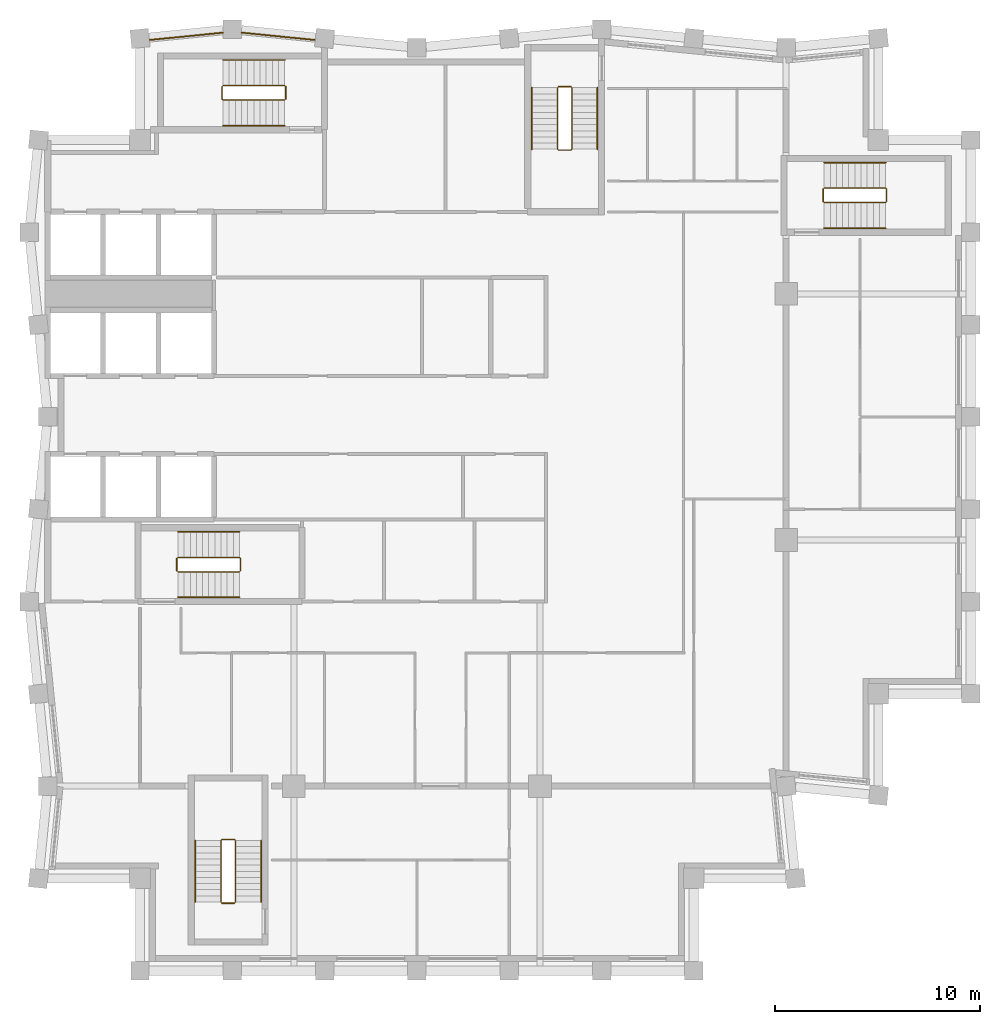
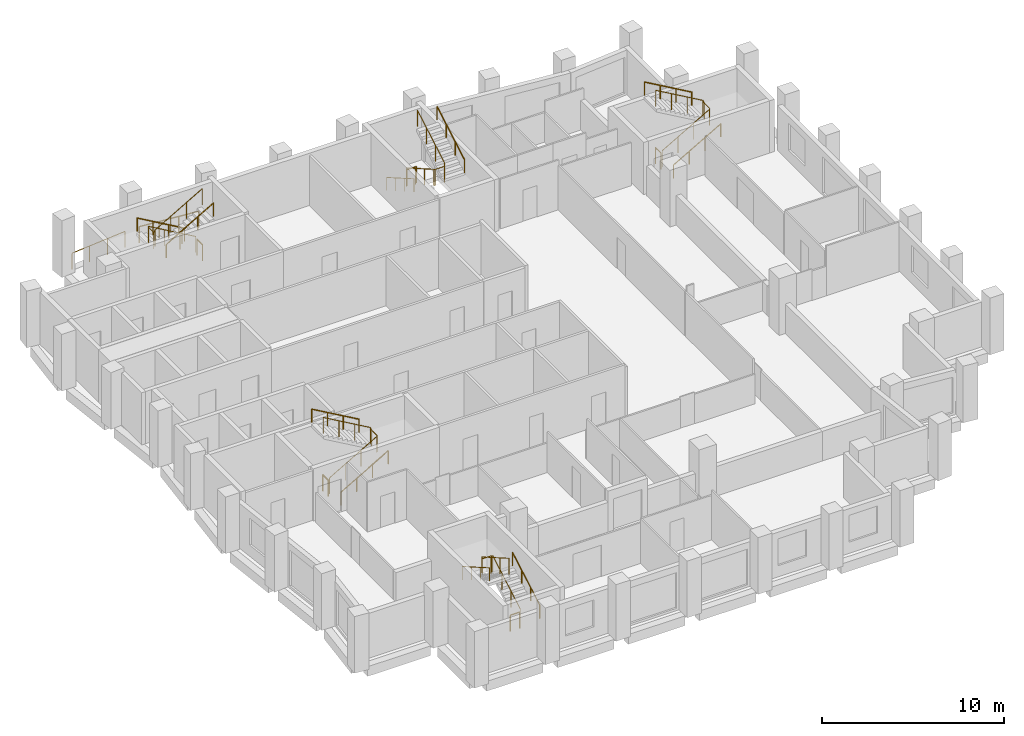
# One storey, part 7 of 7: 22 railings.
"""IFC4 building model written with IfcOpenShell, lengths in metres."""

import ifcopenshell
import ifcopenshell.guid

model = None  # the IFC model being written
_history = None  # IfcOwnerHistory: only IFC2X3 demands one
_inside = {}  # id of a spatial element -> (the spatial element, [elements in it])
_under = {}  # id of a project, library or spatial element -> (it, [spatial elements below it])
_declared = {}  # id of a project -> (the project, [libraries it declares])
_typed = {}  # id of a type object -> (the type object, [elements of that type])
_made_of = {}  # id of a material, layer set ... -> (it, [elements and type objects made of it])


def new_model(schema):
    """Start an empty IFC model of exactly this schema.

    Asked for "IFC4X3", IfcOpenShell would pick the latest addendum, in which some entities
    have other attributes; the version numbers below select the first issue.
    IFC2X3 requires an IfcOwnerHistory on every rooted entity: one is made here for all.
    """
    global model, _history
    if schema == "IFC4X3":
        model = ifcopenshell.file(schema_version=(4, 3, 0, 0))
    else:
        model = ifcopenshell.file(schema=schema)
    _inside.clear()
    _under.clear()
    _declared.clear()
    _typed.clear()
    _made_of.clear()
    _history = None
    if model.schema == "IFC2X3":
        org = make("IfcOrganization", Name="unknown")
        user = make(
            "IfcPersonAndOrganization",
            ThePerson=make("IfcPerson", FamilyName="unknown"),
            TheOrganization=org,
        )
        app = make(
            "IfcApplication",
            ApplicationDeveloper=org,
            Version="unknown",
            ApplicationFullName="unknown",
            ApplicationIdentifier="unknown",
        )
        _history = make(
            "IfcOwnerHistory",
            OwningUser=user,
            OwningApplication=app,
            ChangeAction="ADDED",
            CreationDate=0,
        )
    return model


def make(cls, **values):
    """One entity of the class cls with the attributes given. An attribute that is None is left unset."""
    return model.create_entity(
        cls, **{name: value for name, value in values.items() if value is not None}
    )


def rooted(cls, **values):
    """An entity with a GlobalId (a new one), such as an element, a storey or a relation."""
    return make(cls, GlobalId=ifcopenshell.guid.new(), OwnerHistory=_history, **values)


def si_unit(unit_type, name, prefix=None):
    """IfcSIUnit, for example si_unit("LENGTHUNIT", "METRE", prefix="MILLI")."""
    return make("IfcSIUnit", UnitType=unit_type, Prefix=prefix, Name=name)


def assignment(units):
    """IfcUnitAssignment: the units of a project."""
    return None if units is None else make("IfcUnitAssignment", Units=units)


def point(xyz):
    """IfcCartesianPoint."""
    return None if xyz is None else make("IfcCartesianPoint", Coordinates=xyz)


def direction(xyz):
    """IfcDirection."""
    return None if xyz is None else make("IfcDirection", DirectionRatios=xyz)


def frame(location, z_axis=None, x_axis=None):
    """IfcAxis2Placement3D, a coordinate frame: its origin and axes. An axis left out is left unset."""
    return make(
        "IfcAxis2Placement3D",
        Location=point(location),
        Axis=direction(z_axis),
        RefDirection=direction(x_axis),
    )


def frame_2d(location, x_axis=None):
    """IfcAxis2Placement2D, a coordinate frame in the plane: its origin and x axis."""
    return make(
        "IfcAxis2Placement2D", Location=point(location), RefDirection=direction(x_axis)
    )


def origin():
    """The frame at (0, 0, 0) with its axes left unset."""
    return frame((0.0, 0.0, 0.0))


def origin_2d():
    """The frame at (0, 0) in the plane with its x axis left unset."""
    return frame_2d((0.0, 0.0))


def place(relative_to, where):
    """IfcLocalPlacement: puts the frame where relative to a parent placement (None: the world)."""
    return make(
        "IfcLocalPlacement", PlacementRelTo=relative_to, RelativePlacement=where
    )


def context(
    kind, dimensions, precision=None, world=None, true_north=None, identifier=None
):
    """IfcGeometricRepresentationContext, for example the 3D "Model" context."""
    return make(
        "IfcGeometricRepresentationContext",
        ContextIdentifier=identifier,
        ContextType=kind,
        CoordinateSpaceDimension=dimensions,
        Precision=precision,
        WorldCoordinateSystem=world,
        TrueNorth=true_north,
    )


def subcontext(parent, identifier, kind, view, scale=None):
    """IfcGeometricRepresentationSubContext, for example "Body" below "Model"."""
    return make(
        "IfcGeometricRepresentationSubContext",
        ContextIdentifier=identifier,
        ContextType=kind,
        ParentContext=parent,
        TargetScale=scale,
        TargetView=view,
    )


def project(units=None, contexts=None):
    """IfcProject with its units and contexts."""
    return rooted(
        "IfcProject",
        Name="project",
        RepresentationContexts=contexts,
        UnitsInContext=assignment(units),
    )


def spatial(cls, under=None, at=None, **own):
    """A site, building, storey or space (cls), placed at a placement, below another one or the project."""
    s = rooted(cls, ObjectPlacement=at, **own)
    if under is not None:
        _under.setdefault(under.id(), (under, []))[1].append(s)
    return s


def profile(cls, at=None, kind="AREA", **sizes):
    """A parametric profile (cls). Its sizes go by their IFC names, for example OverallWidth=200.0."""
    return make(cls, ProfileType=kind, Position=at, **sizes)


def circle(**sizes):
    """IfcCircleProfileDef."""
    return profile("IfcCircleProfileDef", **sizes)


def extrude(swept, where, along, depth):
    """IfcExtrudedAreaSolid: the profile swept, set in the frame where, extruded along a direction by depth."""
    return make(
        "IfcExtrudedAreaSolid",
        SweptArea=swept,
        Position=where,
        ExtrudedDirection=direction(along),
        Depth=depth,
    )


def shape(context_of_items, identifier, shape_type, items):
    """IfcShapeRepresentation: the items that make up one representation, for example the "Body"."""
    return make(
        "IfcShapeRepresentation",
        ContextOfItems=context_of_items,
        RepresentationIdentifier=identifier,
        RepresentationType=shape_type,
        Items=items,
    )


def material(Name=None, Category=None):
    """IfcMaterial."""
    return make("IfcMaterial", Name=Name, Category=Category)


def made_of(thing, what):
    """Note that an element or type object is made of a material, layer set ...; save() writes the relation."""
    if what is not None:
        _made_of.setdefault(what.id(), (what, []))[1].append(thing)
    return thing


def type_object(cls, material=None, **own):
    """A type object (cls), such as IfcWallType, which elements share."""
    return made_of(rooted(cls, **own), material)


def element(
    cls,
    number,
    at=None,
    inside=None,
    cuts=None,
    type_object=None,
    material=None,
    context=None,
    identifier="Body",
    shape_type=None,
    held_by="IfcProductDefinitionShape",
    body=None,
    shapes=None,
    **own,
):
    """One element of the class cls, such as IfcWall. Its Tag is "e" and its number.

    at: its placement. inside: the storey or other place that contains it. cuts: it is an
    opening in that element (IfcRelVoidsElement). A single representation is given by context,
    identifier, shape_type and body (its items); several are given by shapes. held_by: the class
    of the entity that holds the representations. save() writes the other relations.
    """
    e = rooted(cls, Tag="e%d" % number, ObjectPlacement=at, **own)
    if body is not None:
        shapes = [shape(context, identifier, shape_type, body)]
    if shapes is not None:
        e.Representation = make(held_by, Representations=shapes)
    if inside is not None:
        _inside.setdefault(inside.id(), (inside, []))[1].append(e)
    if cuts is not None:
        rooted(
            "IfcRelVoidsElement", RelatingBuildingElement=cuts, RelatedOpeningElement=e
        )
    if type_object is not None:
        _typed.setdefault(type_object.id(), (type_object, []))[1].append(e)
    return made_of(e, material)


def aggregate(whole, parts):
    """IfcRelAggregates: a whole, such as a stair, and the parts it consists of."""
    return rooted("IfcRelAggregates", RelatingObject=whole, RelatedObjects=parts)


def save(model, path):
    """Write the relations noted so far, then the file.

    IfcRelAggregates (storeys below a building ...), IfcRelContainedInSpatialStructure (elements
    in a storey), IfcRelDefinesByType, IfcRelAssociatesMaterial and IfcRelDeclares: one each for
    every whole, place, type object, material and project.
    """
    for whole, parts in _under.values():
        aggregate(whole, parts)
    for where, things in _inside.values():
        rooted(
            "IfcRelContainedInSpatialStructure",
            RelatedElements=things,
            RelatingStructure=where,
        )
    for kind, things in _typed.values():
        rooted("IfcRelDefinesByType", RelatedObjects=things, RelatingType=kind)
    for what, things in _made_of.values():
        rooted("IfcRelAssociatesMaterial", RelatedObjects=things, RelatingMaterial=what)
    for by, libraries in _declared.values():
        rooted("IfcRelDeclares", RelatingContext=by, RelatedDefinitions=libraries)
    model.write(path)


model = new_model("IFC4")

# Units and contexts
model_context = context("Model", 3, precision=1e-05, world=origin(), true_north=direction((0.0, 1.0)))
body_context = subcontext(model_context, "Body", "Model", "MODEL_VIEW")
ifc_project = project(units=[si_unit("LENGTHUNIT", "METRE"), si_unit("AREAUNIT", "SQUARE_METRE"), si_unit("VOLUMEUNIT", "CUBIC_METRE"), si_unit("PLANEANGLEUNIT", "RADIAN"), si_unit("MASSUNIT", "GRAM", prefix="KILO")], contexts=[model_context])

# Site, building, storey
site_placement = place(None, origin())
site = spatial("IfcSite", under=ifc_project, at=site_placement, CompositionType="ELEMENT")
building_placement = place(site_placement, origin())
building = spatial("IfcBuilding", under=site, at=building_placement, Name="Brondeck Convention Tower", CompositionType="ELEMENT")
storey_placement = place(building_placement, frame((0.0, 0.0, 275.199951171875)))
storey = spatial("IfcBuildingStorey", under=building, at=storey_placement, Name="L68", CompositionType="ELEMENT", Elevation=275.199951171875)

# Railings
ifc_material_1 = material(Name="Steel S355, bronze painted", Category="steel")
railing_type_1 = type_object("IfcRailingType", Name="Guard, bronze steel rail and posts", PredefinedType="GUARDRAIL", material=ifc_material_1)
railing_1_placement = place(storey_placement, frame((4.9794921875, 63.37744140625, 0.0)))
element("IfcRailing", 1, at=railing_1_placement, inside=storey, type_object=railing_type_1, Name="ENV-RL-L68-REAR1", PredefinedType="GUARDRAIL", context=body_context, shape_type="SweptSolid", body=[
    extrude(circle(Radius=0.02490234375, at=origin_2d()), frame((0.0, 0.0, 1.0751953125), z_axis=(0.995037864926, 0.099496971632, 0.0), x_axis=(-0.099496971632, 0.995037864926, 0.0)), (0.0, 0.0, 1.0), 3.58251953125),
    extrude(circle(Radius=0.02490234375, at=origin_2d()), origin(), (0.0, 0.0, 1.0), 1.050048828125),
    extrude(circle(Radius=0.02490234375, at=origin_2d()), frame((1.188232421875, 0.118896484375, 0.0)), (0.0, 0.0, 1.0), 1.050048828125),
    extrude(circle(Radius=0.02490234375, at=origin_2d()), frame((2.37646484375, 0.237548828125, 0.0)), (0.0, 0.0, 1.0), 1.050048828125),
    extrude(circle(Radius=0.02490234375, at=origin_2d()), frame((3.564697265625, 0.3564453125, 0.0)), (0.0, 0.0, 1.0), 1.050048828125),
])
railing_2_placement = place(storey_placement, frame((9.455810546875, 63.73388671875, 0.0)))
element("IfcRailing", 2, at=railing_2_placement, inside=storey, type_object=railing_type_1, Name="ENV-RL-L68-REAR2", PredefinedType="GUARDRAIL", context=body_context, shape_type="SweptSolid", body=[
    extrude(circle(Radius=0.02490234375, at=origin_2d()), frame((0.0, 0.0, 1.0751953125), z_axis=(0.995037864926, -0.099496971632, 0.0), x_axis=(0.099496971632, 0.995037864926, 0.0)), (0.0, 0.0, 1.0), 3.58251953125),
    extrude(circle(Radius=0.02490234375, at=origin_2d()), origin(), (0.0, 0.0, 1.0), 1.050048828125),
    extrude(circle(Radius=0.02490234375, at=origin_2d()), frame((1.188232421875, -0.118896484375, 0.0)), (0.0, 0.0, 1.0), 1.050048828125),
    extrude(circle(Radius=0.02490234375, at=origin_2d()), frame((2.37646484375, -0.237548828125, 0.0)), (0.0, 0.0, 1.0), 1.050048828125),
    extrude(circle(Radius=0.02490234375, at=origin_2d()), frame((3.564697265625, -0.3564453125, 0.0)), (0.0, 0.0, 1.0), 1.050048828125),
])
ifc_material_2 = material(Name="Steel S355", Category="steel")
railing_type_2 = type_object("IfcRailingType", Name="Stair guard 1100", PredefinedType="GUARDRAIL", material=ifc_material_2)
railing_3_placement = place(storey_placement, frame((6.35009765625, 37.449951171875, 0.1728515625)))
element("IfcRailing", 3, at=railing_3_placement, inside=storey, type_object=railing_type_2, Name="L68 ST-1 stair guard 1", PredefinedType="GUARDRAIL", context=body_context, shape_type="SweptSolid", body=[
    extrude(circle(Radius=0.02392578125, at=origin_2d()), frame((0.0, 0.0, 1.076171875), z_axis=(0.866619684472, 0.0, 0.498969260062), x_axis=(0.0, 1.0, 0.0)), (0.0, 0.0, 1.0), 3.461669921875),
    extrude(circle(Radius=0.02392578125, at=origin_2d()), frame((3.0, 0.0, 2.80322265625), z_axis=(0.705375805398, 0.708833529934, 0.0), x_axis=(-0.708833529934, 0.705375805398, 0.0)), (0.0, 0.0, 1.0), 0.070556640625),
    extrude(circle(Radius=0.02392578125, at=origin_2d()), frame((3.0498046875, 0.050048828125, 2.80322265625), z_axis=(0.0, 1.0, 0.0), x_axis=(-1.0, 0.0, 0.0)), (0.0, 0.0, 1.0), 0.60009765625),
    extrude(circle(Radius=0.02392578125, at=origin_2d()), frame((3.0498046875, 0.650146484375, 2.80322265625), z_axis=(-0.26715648603, 0.26715648603, 0.925880566782), x_axis=(-0.707106781187, -0.707106781187, 0.0)), (0.0, 0.0, 1.0), 0.1865234375),
    extrude(circle(Radius=0.02392578125, at=origin_2d()), frame((3.0, 0.699951171875, 2.97607421875), z_axis=(-0.866619684472, 0.0, 0.498969260062), x_axis=(0.0, -1.0, 0.0)), (0.0, 0.0, 1.0), 3.461669921875),
    extrude(circle(Radius=0.02099609375, at=origin_2d()), origin(), (0.0, 0.0, 1.0), 1.052001953125),
    extrude(circle(Radius=0.02099609375, at=origin_2d()), frame((1.0, 0.0, 0.57568359375)), (0.0, 0.0, 1.0), 1.052001953125),
    extrude(circle(Radius=0.02099609375, at=origin_2d()), frame((2.0, 0.0, 1.151611328125)), (0.0, 0.0, 1.0), 1.052001953125),
    extrude(circle(Radius=0.02099609375, at=origin_2d()), frame((3.0, 0.0, 1.727294921875)), (0.0, 0.0, 1.0), 1.052001953125),
    extrude(circle(Radius=0.02099609375, at=origin_2d()), frame((3.0498046875, 0.050048828125, 1.727294921875)), (0.0, 0.0, 1.0), 1.052001953125),
    extrude(circle(Radius=0.02099609375, at=origin_2d()), frame((3.0498046875, 0.650146484375, 1.727294921875)), (0.0, 0.0, 1.0), 1.052001953125),
    extrude(circle(Radius=0.02099609375, at=origin_2d()), frame((3.0, 0.699951171875, 1.89990234375)), (0.0, 0.0, 1.0), 1.052001953125),
    extrude(circle(Radius=0.02099609375, at=origin_2d()), frame((2.0, 0.699951171875, 2.4755859375)), (0.0, 0.0, 1.0), 1.052001953125),
    extrude(circle(Radius=0.02099609375, at=origin_2d()), frame((1.0, 0.699951171875, 3.051513671875)), (0.0, 0.0, 1.0), 1.052001953125),
    extrude(circle(Radius=0.02099609375, at=origin_2d()), frame((0.0, 0.699951171875, 3.627197265625)), (0.0, 0.0, 1.0), 1.052001953125),
])
railing_4_placement = place(storey_placement, frame((6.300048828125, 37.5, 0.0)))
element("IfcRailing", 4, at=railing_4_placement, inside=storey, type_object=railing_type_2, Name="L68 ST-1 stair guard 2", PredefinedType="GUARDRAIL", context=body_context, shape_type="SweptSolid", body=[
    extrude(circle(Radius=0.02392578125, at=origin_2d()), frame((0.0, 0.0, 1.076171875), z_axis=(0.0, 1.0, 0.0), x_axis=(-1.0, 0.0, 0.0)), (0.0, 0.0, 1.0), 0.60009765625),
    extrude(circle(Radius=0.02099609375, at=origin_2d()), origin(), (0.0, 0.0, 1.0), 1.052001953125),
    extrude(circle(Radius=0.02099609375, at=origin_2d()), frame((0.0, 0.60009765625, 0.0)), (0.0, 0.0, 1.0), 1.052001953125),
])
railing_5_placement = place(storey_placement, frame((24.85009765625, 61.050048828125, 0.1728515625)))
element("IfcRailing", 5, at=railing_5_placement, inside=storey, type_object=railing_type_2, Name="L68 ST-2 stair guard 1", PredefinedType="GUARDRAIL", context=body_context, shape_type="SweptSolid", body=[
    extrude(circle(Radius=0.02392578125, at=origin_2d()), frame((0.0, 0.0, 1.076171875), z_axis=(0.0, -0.866619684472, 0.498969260062), x_axis=(1.0, 0.0, 0.0)), (0.0, 0.0, 1.0), 3.461669921875),
    extrude(circle(Radius=0.02392578125, at=origin_2d()), frame((0.0, -3.0, 2.80322265625), z_axis=(0.705375805398, -0.708833529934, 0.0), x_axis=(0.708833529934, 0.705375805398, 0.0)), (0.0, 0.0, 1.0), 0.070556640625),
    extrude(circle(Radius=0.02392578125, at=origin_2d()), frame((0.0498046875, -3.050048828125, 2.80322265625), z_axis=(1.0, 0.0, 0.0), x_axis=(0.0, 1.0, 0.0)), (0.0, 0.0, 1.0), 0.60009765625),
    extrude(circle(Radius=0.02392578125, at=origin_2d()), frame((0.64990234375, -3.050048828125, 2.80322265625), z_axis=(0.268277960024, 0.268277960024, 0.925231793839), x_axis=(-0.707106781187, 0.707106781187, 0.0)), (0.0, 0.0, 1.0), 0.1865234375),
    extrude(circle(Radius=0.02392578125, at=origin_2d()), frame((0.699951171875, -3.0, 2.97607421875), z_axis=(0.0, 0.866619684472, 0.498969260062), x_axis=(-1.0, 0.0, 0.0)), (0.0, 0.0, 1.0), 3.461669921875),
    extrude(circle(Radius=0.02099609375, at=origin_2d()), origin(), (0.0, 0.0, 1.0), 1.052001953125),
    extrude(circle(Radius=0.02099609375, at=origin_2d()), frame((0.0, -1.0, 0.57568359375)), (0.0, 0.0, 1.0), 1.052001953125),
    extrude(circle(Radius=0.02099609375, at=origin_2d()), frame((0.0, -2.0, 1.151611328125)), (0.0, 0.0, 1.0), 1.052001953125),
    extrude(circle(Radius=0.02099609375, at=origin_2d()), frame((0.0, -3.0, 1.727294921875)), (0.0, 0.0, 1.0), 1.052001953125),
    extrude(circle(Radius=0.02099609375, at=origin_2d()), frame((0.0498046875, -3.050048828125, 1.727294921875)), (0.0, 0.0, 1.0), 1.052001953125),
    extrude(circle(Radius=0.02099609375, at=origin_2d()), frame((0.64990234375, -3.050048828125, 1.727294921875)), (0.0, 0.0, 1.0), 1.052001953125),
    extrude(circle(Radius=0.02099609375, at=origin_2d()), frame((0.699951171875, -3.0, 1.89990234375)), (0.0, 0.0, 1.0), 1.052001953125),
    extrude(circle(Radius=0.02099609375, at=origin_2d()), frame((0.699951171875, -2.0, 2.4755859375)), (0.0, 0.0, 1.0), 1.052001953125),
    extrude(circle(Radius=0.02099609375, at=origin_2d()), frame((0.699951171875, -1.0, 3.051513671875)), (0.0, 0.0, 1.0), 1.052001953125),
    extrude(circle(Radius=0.02099609375, at=origin_2d()), frame((0.699951171875, 0.0, 3.627197265625)), (0.0, 0.0, 1.0), 1.052001953125),
])
railing_6_placement = place(storey_placement, frame((24.89990234375, 61.10009765625, 0.0)))
element("IfcRailing", 6, at=railing_6_placement, inside=storey, type_object=railing_type_2, Name="L68 ST-2 stair guard 2", PredefinedType="GUARDRAIL", context=body_context, shape_type="SweptSolid", body=[
    extrude(circle(Radius=0.02392578125, at=origin_2d()), frame((0.0, 0.0, 1.076171875), z_axis=(1.0, 0.0, 0.0), x_axis=(0.0, 1.0, 0.0)), (0.0, 0.0, 1.0), 0.60009765625),
    extrude(circle(Radius=0.02099609375, at=origin_2d()), origin(), (0.0, 0.0, 1.0), 1.052001953125),
    extrude(circle(Radius=0.02099609375, at=origin_2d()), frame((0.60009765625, 0.0, 0.0)), (0.0, 0.0, 1.0), 1.052001953125),
])
railing_7_placement = place(storey_placement, frame((11.550048828125, 61.14990234375, 0.1728515625)))
element("IfcRailing", 7, at=railing_7_placement, inside=storey, type_object=railing_type_2, Name="L68 ST-3 stair guard 1", PredefinedType="GUARDRAIL", context=body_context, shape_type="SweptSolid", body=[
    extrude(circle(Radius=0.02392578125, at=origin_2d()), frame((0.0, 0.0, 1.076171875), z_axis=(-0.866619684472, 0.0, 0.498969260062), x_axis=(0.0, -1.0, 0.0)), (0.0, 0.0, 1.0), 3.461669921875),
    extrude(circle(Radius=0.02392578125, at=origin_2d()), frame((-3.0, 0.0, 2.80322265625), z_axis=(-0.708833529934, -0.705375805398, 0.0), x_axis=(0.705375805398, -0.708833529934, 0.0)), (0.0, 0.0, 1.0), 0.070556640625),
    extrude(circle(Radius=0.02392578125, at=origin_2d()), frame((-3.050048828125, -0.0498046875, 2.80322265625), z_axis=(0.0, -1.0, 0.0), x_axis=(1.0, 0.0, 0.0)), (0.0, 0.0, 1.0), 0.60009765625),
    extrude(circle(Radius=0.02392578125, at=origin_2d()), frame((-3.050048828125, -0.64990234375, 2.80322265625), z_axis=(0.268277960024, -0.268277960024, 0.925231793839), x_axis=(0.707106781187, 0.707106781187, 0.0)), (0.0, 0.0, 1.0), 0.1865234375),
    extrude(circle(Radius=0.02392578125, at=origin_2d()), frame((-3.0, -0.699951171875, 2.97607421875), z_axis=(0.866619684472, 0.0, 0.498969260062), x_axis=(0.0, 1.0, 0.0)), (0.0, 0.0, 1.0), 3.461669921875),
    extrude(circle(Radius=0.02099609375, at=origin_2d()), origin(), (0.0, 0.0, 1.0), 1.052001953125),
    extrude(circle(Radius=0.02099609375, at=origin_2d()), frame((-1.0, 0.0, 0.57568359375)), (0.0, 0.0, 1.0), 1.052001953125),
    extrude(circle(Radius=0.02099609375, at=origin_2d()), frame((-2.0, 0.0, 1.151611328125)), (0.0, 0.0, 1.0), 1.052001953125),
    extrude(circle(Radius=0.02099609375, at=origin_2d()), frame((-3.0, 0.0, 1.727294921875)), (0.0, 0.0, 1.0), 1.052001953125),
    extrude(circle(Radius=0.02099609375, at=origin_2d()), frame((-3.050048828125, -0.0498046875, 1.727294921875)), (0.0, 0.0, 1.0), 1.052001953125),
    extrude(circle(Radius=0.02099609375, at=origin_2d()), frame((-3.050048828125, -0.64990234375, 1.727294921875)), (0.0, 0.0, 1.0), 1.052001953125),
    extrude(circle(Radius=0.02099609375, at=origin_2d()), frame((-3.0, -0.699951171875, 1.89990234375)), (0.0, 0.0, 1.0), 1.052001953125),
    extrude(circle(Radius=0.02099609375, at=origin_2d()), frame((-2.0, -0.699951171875, 2.4755859375)), (0.0, 0.0, 1.0), 1.052001953125),
    extrude(circle(Radius=0.02099609375, at=origin_2d()), frame((-1.0, -0.699951171875, 3.051513671875)), (0.0, 0.0, 1.0), 1.052001953125),
    extrude(circle(Radius=0.02099609375, at=origin_2d()), frame((0.0, -0.699951171875, 3.627197265625)), (0.0, 0.0, 1.0), 1.052001953125),
])
railing_8_placement = place(storey_placement, frame((11.60009765625, 61.10009765625, 0.0)))
element("IfcRailing", 8, at=railing_8_placement, inside=storey, type_object=railing_type_2, Name="L68 ST-3 stair guard 2", PredefinedType="GUARDRAIL", context=body_context, shape_type="SweptSolid", body=[
    extrude(circle(Radius=0.02392578125, at=origin_2d()), frame((0.0, 0.0, 1.076171875), z_axis=(0.0, -1.0, 0.0), x_axis=(1.0, 0.0, 0.0)), (0.0, 0.0, 1.0), 0.60009765625),
    extrude(circle(Radius=0.02099609375, at=origin_2d()), origin(), (0.0, 0.0, 1.0), 1.052001953125),
    extrude(circle(Radius=0.02099609375, at=origin_2d()), frame((0.0, -0.60009765625, 0.0)), (0.0, 0.0, 1.0), 1.052001953125),
])
railing_9_placement = place(storey_placement, frame((37.85009765625, 55.449951171875, 0.1728515625)))
element("IfcRailing", 9, at=railing_9_placement, inside=storey, type_object=railing_type_2, Name="L68 ST-AE stair guard 1", PredefinedType="GUARDRAIL", context=body_context, shape_type="SweptSolid", body=[
    extrude(circle(Radius=0.02392578125, at=origin_2d()), frame((0.0, 0.0, 1.076171875), z_axis=(0.866619684472, 0.0, 0.498969260062), x_axis=(0.0, 1.0, 0.0)), (0.0, 0.0, 1.0), 3.461669921875),
    extrude(circle(Radius=0.02392578125, at=origin_2d()), frame((3.0, 0.0, 2.80322265625), z_axis=(0.705375805398, 0.708833529934, 0.0), x_axis=(-0.708833529934, 0.705375805398, 0.0)), (0.0, 0.0, 1.0), 0.070556640625),
    extrude(circle(Radius=0.02392578125, at=origin_2d()), frame((3.0498046875, 0.050048828125, 2.80322265625), z_axis=(0.0, 1.0, 0.0), x_axis=(-1.0, 0.0, 0.0)), (0.0, 0.0, 1.0), 0.60009765625),
    extrude(circle(Radius=0.02392578125, at=origin_2d()), frame((3.0498046875, 0.650146484375, 2.80322265625), z_axis=(-0.26715648603, 0.26715648603, 0.925880566782), x_axis=(-0.707106781187, -0.707106781187, 0.0)), (0.0, 0.0, 1.0), 0.1865234375),
    extrude(circle(Radius=0.02392578125, at=origin_2d()), frame((3.0, 0.699951171875, 2.97607421875), z_axis=(-0.866619684472, 0.0, 0.498969260062), x_axis=(0.0, -1.0, 0.0)), (0.0, 0.0, 1.0), 3.461669921875),
    extrude(circle(Radius=0.02099609375, at=origin_2d()), origin(), (0.0, 0.0, 1.0), 1.052001953125),
    extrude(circle(Radius=0.02099609375, at=origin_2d()), frame((1.0, 0.0, 0.57568359375)), (0.0, 0.0, 1.0), 1.052001953125),
    extrude(circle(Radius=0.02099609375, at=origin_2d()), frame((2.0, 0.0, 1.151611328125)), (0.0, 0.0, 1.0), 1.052001953125),
    extrude(circle(Radius=0.02099609375, at=origin_2d()), frame((3.0, 0.0, 1.727294921875)), (0.0, 0.0, 1.0), 1.052001953125),
    extrude(circle(Radius=0.02099609375, at=origin_2d()), frame((3.0498046875, 0.050048828125, 1.727294921875)), (0.0, 0.0, 1.0), 1.052001953125),
    extrude(circle(Radius=0.02099609375, at=origin_2d()), frame((3.0498046875, 0.650146484375, 1.727294921875)), (0.0, 0.0, 1.0), 1.052001953125),
    extrude(circle(Radius=0.02099609375, at=origin_2d()), frame((3.0, 0.699951171875, 1.89990234375)), (0.0, 0.0, 1.0), 1.052001953125),
    extrude(circle(Radius=0.02099609375, at=origin_2d()), frame((2.0, 0.699951171875, 2.4755859375)), (0.0, 0.0, 1.0), 1.052001953125),
    extrude(circle(Radius=0.02099609375, at=origin_2d()), frame((1.0, 0.699951171875, 3.051513671875)), (0.0, 0.0, 1.0), 1.052001953125),
    extrude(circle(Radius=0.02099609375, at=origin_2d()), frame((0.0, 0.699951171875, 3.627197265625)), (0.0, 0.0, 1.0), 1.052001953125),
])
railing_10_placement = place(storey_placement, frame((37.800048828125, 55.5, 0.0)))
element("IfcRailing", 10, at=railing_10_placement, inside=storey, type_object=railing_type_2, Name="L68 ST-AE stair guard 2", PredefinedType="GUARDRAIL", context=body_context, shape_type="SweptSolid", body=[
    extrude(circle(Radius=0.02392578125, at=origin_2d()), frame((0.0, 0.0, 1.076171875), z_axis=(0.0, 1.0, 0.0), x_axis=(-1.0, 0.0, 0.0)), (0.0, 0.0, 1.0), 0.60009765625),
    extrude(circle(Radius=0.02099609375, at=origin_2d()), origin(), (0.0, 0.0, 1.0), 1.052001953125),
    extrude(circle(Radius=0.02099609375, at=origin_2d()), frame((0.0, 0.60009765625, 0.0)), (0.0, 0.0, 1.0), 1.052001953125),
])
railing_11_placement = place(storey_placement, frame((9.14990234375, 21.35009765625, 0.1728515625)))
element("IfcRailing", 11, at=railing_11_placement, inside=storey, type_object=railing_type_2, Name="L68 ST-BE stair guard 1", PredefinedType="GUARDRAIL", context=body_context, shape_type="SweptSolid", body=[
    extrude(circle(Radius=0.02392578125, at=origin_2d()), frame((0.0, 0.0, 1.076171875), z_axis=(0.0, 0.866619684472, 0.498969260062), x_axis=(-1.0, 0.0, 0.0)), (0.0, 0.0, 1.0), 3.461669921875),
    extrude(circle(Radius=0.02392578125, at=origin_2d()), frame((0.0, 3.0, 2.80322265625), z_axis=(-0.707106781187, 0.707106781187, 0.0), x_axis=(-0.707106781187, -0.707106781187, 0.0)), (0.0, 0.0, 1.0), 0.0703125),
    extrude(circle(Radius=0.02392578125, at=origin_2d()), frame((-0.0498046875, 3.0498046875, 2.80322265625), z_axis=(-1.0, 0.0, 0.0), x_axis=(0.0, -1.0, 0.0)), (0.0, 0.0, 1.0), 0.60009765625),
    extrude(circle(Radius=0.02392578125, at=origin_2d()), frame((-0.64990234375, 3.0498046875, 2.80322265625), z_axis=(-0.268371968888, -0.267062837333, 0.925556009775), x_axis=(0.705375805398, -0.708833529934, 0.0)), (0.0, 0.0, 1.0), 0.1865234375),
    extrude(circle(Radius=0.02392578125, at=origin_2d()), frame((-0.699951171875, 3.0, 2.97607421875), z_axis=(0.0, -0.866619684472, 0.498969260062), x_axis=(1.0, 0.0, 0.0)), (0.0, 0.0, 1.0), 3.461669921875),
    extrude(circle(Radius=0.02099609375, at=origin_2d()), origin(), (0.0, 0.0, 1.0), 1.052001953125),
    extrude(circle(Radius=0.02099609375, at=origin_2d()), frame((0.0, 1.0, 0.57568359375)), (0.0, 0.0, 1.0), 1.052001953125),
    extrude(circle(Radius=0.02099609375, at=origin_2d()), frame((0.0, 2.0, 1.151611328125)), (0.0, 0.0, 1.0), 1.052001953125),
    extrude(circle(Radius=0.02099609375, at=origin_2d()), frame((0.0, 3.0, 1.727294921875)), (0.0, 0.0, 1.0), 1.052001953125),
    extrude(circle(Radius=0.02099609375, at=origin_2d()), frame((-0.0498046875, 3.0498046875, 1.727294921875)), (0.0, 0.0, 1.0), 1.052001953125),
    extrude(circle(Radius=0.02099609375, at=origin_2d()), frame((-0.64990234375, 3.0498046875, 1.727294921875)), (0.0, 0.0, 1.0), 1.052001953125),
    extrude(circle(Radius=0.02099609375, at=origin_2d()), frame((-0.699951171875, 3.0, 1.89990234375)), (0.0, 0.0, 1.0), 1.052001953125),
    extrude(circle(Radius=0.02099609375, at=origin_2d()), frame((-0.699951171875, 2.0, 2.4755859375)), (0.0, 0.0, 1.0), 1.052001953125),
    extrude(circle(Radius=0.02099609375, at=origin_2d()), frame((-0.699951171875, 1.0, 3.051513671875)), (0.0, 0.0, 1.0), 1.052001953125),
    extrude(circle(Radius=0.02099609375, at=origin_2d()), frame((-0.699951171875, 0.0, 3.627197265625)), (0.0, 0.0, 1.0), 1.052001953125),
])
railing_12_placement = place(storey_placement, frame((9.10009765625, 21.300048828125, 0.0)))
element("IfcRailing", 12, at=railing_12_placement, inside=storey, type_object=railing_type_2, Name="L68 ST-BE stair guard 2", PredefinedType="GUARDRAIL", context=body_context, shape_type="SweptSolid", body=[
    extrude(circle(Radius=0.02392578125, at=origin_2d()), frame((0.0, 0.0, 1.076171875), z_axis=(-1.0, 0.0, 0.0), x_axis=(0.0, -1.0, 0.0)), (0.0, 0.0, 1.0), 0.60009765625),
    extrude(circle(Radius=0.02099609375, at=origin_2d()), origin(), (0.0, 0.0, 1.0), 1.052001953125),
    extrude(circle(Radius=0.02099609375, at=origin_2d()), frame((-0.60009765625, 0.0, 0.0)), (0.0, 0.0, 1.0), 1.052001953125),
])
railing_type_3 = type_object("IfcRailingType", Name="Stair handrail", PredefinedType="HANDRAIL", material=ifc_material_2)
railing_13_placement = place(storey_placement, frame((6.35009765625, 36.199951171875, 0.1728515625)))
element("IfcRailing", 13, at=railing_13_placement, inside=storey, type_object=railing_type_3, Name="L68 ST-1 stair handrail 1", PredefinedType="HANDRAIL", context=body_context, shape_type="SweptSolid", body=[
    extrude(circle(Radius=0.02392578125, at=origin_2d()), frame((0.0, 0.0, 0.8759765625), z_axis=(0.866619684472, 0.0, 0.498969260062), x_axis=(0.0, 1.0, 0.0)), (0.0, 0.0, 1.0), 3.461669921875),
    extrude(circle(Radius=0.02099609375, at=origin_2d()), origin(), (0.0, 0.0, 1.0), 0.851806640625),
    extrude(circle(Radius=0.02099609375, at=origin_2d()), frame((1.0, 0.0, 0.57568359375)), (0.0, 0.0, 1.0), 0.851806640625),
    extrude(circle(Radius=0.02099609375, at=origin_2d()), frame((2.0, 0.0, 1.151611328125)), (0.0, 0.0, 1.0), 0.851806640625),
    extrude(circle(Radius=0.02099609375, at=origin_2d()), frame((3.0, 0.0, 1.727294921875)), (0.0, 0.0, 1.0), 0.851806640625),
])
railing_14_placement = place(storey_placement, frame((9.35009765625, 39.39990234375, 2.07275390625)))
element("IfcRailing", 14, at=railing_14_placement, inside=storey, type_object=railing_type_3, Name="L68 ST-1 stair handrail 2", PredefinedType="HANDRAIL", context=body_context, shape_type="SweptSolid", body=[
    extrude(circle(Radius=0.02392578125, at=origin_2d()), frame((0.0, 0.0, 0.8759765625), z_axis=(-0.866619684472, 0.0, 0.498969260062), x_axis=(0.0, -1.0, 0.0)), (0.0, 0.0, 1.0), 3.461669921875),
    extrude(circle(Radius=0.02099609375, at=origin_2d()), origin(), (0.0, 0.0, 1.0), 0.851806640625),
    extrude(circle(Radius=0.02099609375, at=origin_2d()), frame((-1.0, 0.0, 0.57568359375)), (0.0, 0.0, 1.0), 0.851806640625),
    extrude(circle(Radius=0.02099609375, at=origin_2d()), frame((-2.0, 0.0, 1.151611328125)), (0.0, 0.0, 1.0), 0.851806640625),
    extrude(circle(Radius=0.02099609375, at=origin_2d()), frame((-3.0, 0.0, 1.727294921875)), (0.0, 0.0, 1.0), 0.851806640625),
])
railing_15_placement = place(storey_placement, frame((23.60009765625, 61.050048828125, 0.1728515625)))
element("IfcRailing", 15, at=railing_15_placement, inside=storey, type_object=railing_type_3, Name="L68 ST-2 stair handrail 1", PredefinedType="HANDRAIL", context=body_context, shape_type="SweptSolid", body=[
    extrude(circle(Radius=0.02392578125, at=origin_2d()), frame((0.0, 0.0, 0.8759765625), z_axis=(0.0, -0.866619684472, 0.498969260062), x_axis=(1.0, 0.0, 0.0)), (0.0, 0.0, 1.0), 3.461669921875),
    extrude(circle(Radius=0.02099609375, at=origin_2d()), origin(), (0.0, 0.0, 1.0), 0.851806640625),
    extrude(circle(Radius=0.02099609375, at=origin_2d()), frame((0.0, -1.0, 0.57568359375)), (0.0, 0.0, 1.0), 0.851806640625),
    extrude(circle(Radius=0.02099609375, at=origin_2d()), frame((0.0, -2.0, 1.151611328125)), (0.0, 0.0, 1.0), 0.851806640625),
    extrude(circle(Radius=0.02099609375, at=origin_2d()), frame((0.0, -3.0, 1.727294921875)), (0.0, 0.0, 1.0), 0.851806640625),
])
railing_16_placement = place(storey_placement, frame((26.800048828125, 58.050048828125, 2.07275390625)))
element("IfcRailing", 16, at=railing_16_placement, inside=storey, type_object=railing_type_3, Name="L68 ST-2 stair handrail 2", PredefinedType="HANDRAIL", context=body_context, shape_type="SweptSolid", body=[
    extrude(circle(Radius=0.02392578125, at=origin_2d()), frame((0.0, 0.0, 0.8759765625), z_axis=(0.0, 0.866619684472, 0.498969260062), x_axis=(-1.0, 0.0, 0.0)), (0.0, 0.0, 1.0), 3.461669921875),
    extrude(circle(Radius=0.02099609375, at=origin_2d()), origin(), (0.0, 0.0, 1.0), 0.851806640625),
    extrude(circle(Radius=0.02099609375, at=origin_2d()), frame((0.0, 1.0, 0.57568359375)), (0.0, 0.0, 1.0), 0.851806640625),
    extrude(circle(Radius=0.02099609375, at=origin_2d()), frame((0.0, 2.0, 1.151611328125)), (0.0, 0.0, 1.0), 0.851806640625),
    extrude(circle(Radius=0.02099609375, at=origin_2d()), frame((0.0, 3.0, 1.727294921875)), (0.0, 0.0, 1.0), 0.851806640625),
])
railing_17_placement = place(storey_placement, frame((11.550048828125, 62.39990234375, 0.1728515625)))
element("IfcRailing", 17, at=railing_17_placement, inside=storey, type_object=railing_type_3, Name="L68 ST-3 stair handrail 1", PredefinedType="HANDRAIL", context=body_context, shape_type="SweptSolid", body=[
    extrude(circle(Radius=0.02392578125, at=origin_2d()), frame((0.0, 0.0, 0.8759765625), z_axis=(-0.866619684472, 0.0, 0.498969260062), x_axis=(0.0, -1.0, 0.0)), (0.0, 0.0, 1.0), 3.461669921875),
    extrude(circle(Radius=0.02099609375, at=origin_2d()), origin(), (0.0, 0.0, 1.0), 0.851806640625),
    extrude(circle(Radius=0.02099609375, at=origin_2d()), frame((-1.0, 0.0, 0.57568359375)), (0.0, 0.0, 1.0), 0.851806640625),
    extrude(circle(Radius=0.02099609375, at=origin_2d()), frame((-2.0, 0.0, 1.151611328125)), (0.0, 0.0, 1.0), 0.851806640625),
    extrude(circle(Radius=0.02099609375, at=origin_2d()), frame((-3.0, 0.0, 1.727294921875)), (0.0, 0.0, 1.0), 0.851806640625),
])
for number, where, name in (
    (18, (8.550048828125, 59.199951171875, 2.07275390625), "L68 ST-3 stair handrail 2"),
    (19, (37.85009765625, 54.199951171875, 0.1728515625), "L68 ST-AE stair handrail 1"),
):
    element("IfcRailing", number, at=place(storey_placement, frame(where)), inside=storey, type_object=railing_type_3, Name=name, PredefinedType="HANDRAIL", context=body_context, shape_type="SweptSolid", body=[
        extrude(circle(Radius=0.02392578125, at=origin_2d()), frame((0.0, 0.0, 0.8759765625), z_axis=(0.866619684472, 0.0, 0.498969260062), x_axis=(0.0, 1.0, 0.0)), (0.0, 0.0, 1.0), 3.461669921875),
        extrude(circle(Radius=0.02099609375, at=origin_2d()), origin(), (0.0, 0.0, 1.0), 0.851806640625),
        extrude(circle(Radius=0.02099609375, at=origin_2d()), frame((1.0, 0.0, 0.57568359375)), (0.0, 0.0, 1.0), 0.851806640625),
        extrude(circle(Radius=0.02099609375, at=origin_2d()), frame((2.0, 0.0, 1.151611328125)), (0.0, 0.0, 1.0), 0.851806640625),
        extrude(circle(Radius=0.02099609375, at=origin_2d()), frame((3.0, 0.0, 1.727294921875)), (0.0, 0.0, 1.0), 0.851806640625),
    ])
railing_18_placement = place(storey_placement, frame((40.85009765625, 57.39990234375, 2.07275390625)))
element("IfcRailing", 20, at=railing_18_placement, inside=storey, type_object=railing_type_3, Name="L68 ST-AE stair handrail 2", PredefinedType="HANDRAIL", context=body_context, shape_type="SweptSolid", body=[
    extrude(circle(Radius=0.02392578125, at=origin_2d()), frame((0.0, 0.0, 0.8759765625), z_axis=(-0.866619684472, 0.0, 0.498969260062), x_axis=(0.0, -1.0, 0.0)), (0.0, 0.0, 1.0), 3.461669921875),
    extrude(circle(Radius=0.02099609375, at=origin_2d()), origin(), (0.0, 0.0, 1.0), 0.851806640625),
    extrude(circle(Radius=0.02099609375, at=origin_2d()), frame((-1.0, 0.0, 0.57568359375)), (0.0, 0.0, 1.0), 0.851806640625),
    extrude(circle(Radius=0.02099609375, at=origin_2d()), frame((-2.0, 0.0, 1.151611328125)), (0.0, 0.0, 1.0), 0.851806640625),
    extrude(circle(Radius=0.02099609375, at=origin_2d()), frame((-3.0, 0.0, 1.727294921875)), (0.0, 0.0, 1.0), 0.851806640625),
])
railing_19_placement = place(storey_placement, frame((10.39990234375, 21.35009765625, 0.1728515625)))
element("IfcRailing", 21, at=railing_19_placement, inside=storey, type_object=railing_type_3, Name="L68 ST-BE stair handrail 1", PredefinedType="HANDRAIL", context=body_context, shape_type="SweptSolid", body=[
    extrude(circle(Radius=0.02392578125, at=origin_2d()), frame((0.0, 0.0, 0.8759765625), z_axis=(0.0, 0.866619684472, 0.498969260062), x_axis=(-1.0, 0.0, 0.0)), (0.0, 0.0, 1.0), 3.461669921875),
    extrude(circle(Radius=0.02099609375, at=origin_2d()), origin(), (0.0, 0.0, 1.0), 0.851806640625),
    extrude(circle(Radius=0.02099609375, at=origin_2d()), frame((0.0, 1.0, 0.57568359375)), (0.0, 0.0, 1.0), 0.851806640625),
    extrude(circle(Radius=0.02099609375, at=origin_2d()), frame((0.0, 2.0, 1.151611328125)), (0.0, 0.0, 1.0), 0.851806640625),
    extrude(circle(Radius=0.02099609375, at=origin_2d()), frame((0.0, 3.0, 1.727294921875)), (0.0, 0.0, 1.0), 0.851806640625),
])
railing_20_placement = place(storey_placement, frame((7.199951171875, 24.35009765625, 2.07275390625)))
element("IfcRailing", 22, at=railing_20_placement, inside=storey, type_object=railing_type_3, Name="L68 ST-BE stair handrail 2", PredefinedType="HANDRAIL", context=body_context, shape_type="SweptSolid", body=[
    extrude(circle(Radius=0.02392578125, at=origin_2d()), frame((0.0, 0.0, 0.8759765625), z_axis=(0.0, -0.866619684472, 0.498969260062), x_axis=(1.0, 0.0, 0.0)), (0.0, 0.0, 1.0), 3.461669921875),
    extrude(circle(Radius=0.02099609375, at=origin_2d()), origin(), (0.0, 0.0, 1.0), 0.851806640625),
    extrude(circle(Radius=0.02099609375, at=origin_2d()), frame((0.0, -1.0, 0.57568359375)), (0.0, 0.0, 1.0), 0.851806640625),
    extrude(circle(Radius=0.02099609375, at=origin_2d()), frame((0.0, -2.0, 1.151611328125)), (0.0, 0.0, 1.0), 0.851806640625),
    extrude(circle(Radius=0.02099609375, at=origin_2d()), frame((0.0, -3.0, 1.727294921875)), (0.0, 0.0, 1.0), 0.851806640625),
])

save(model, "model.ifc")
